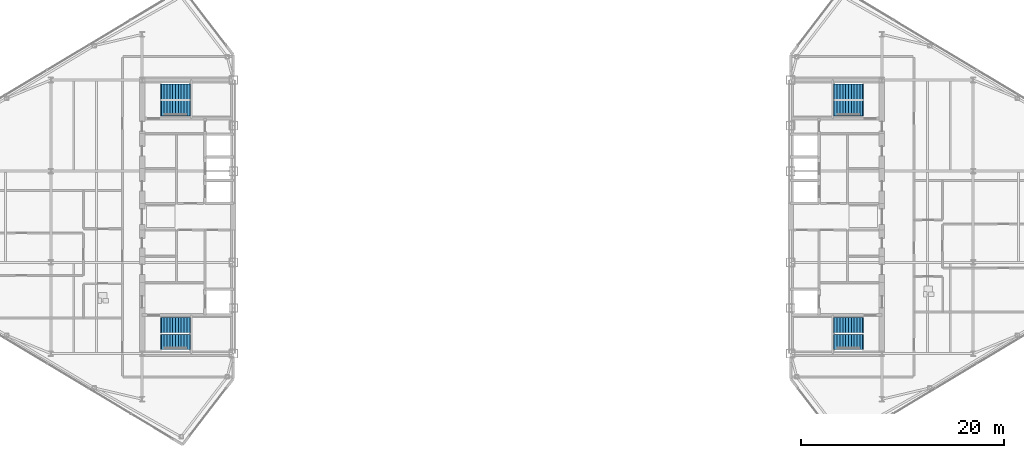
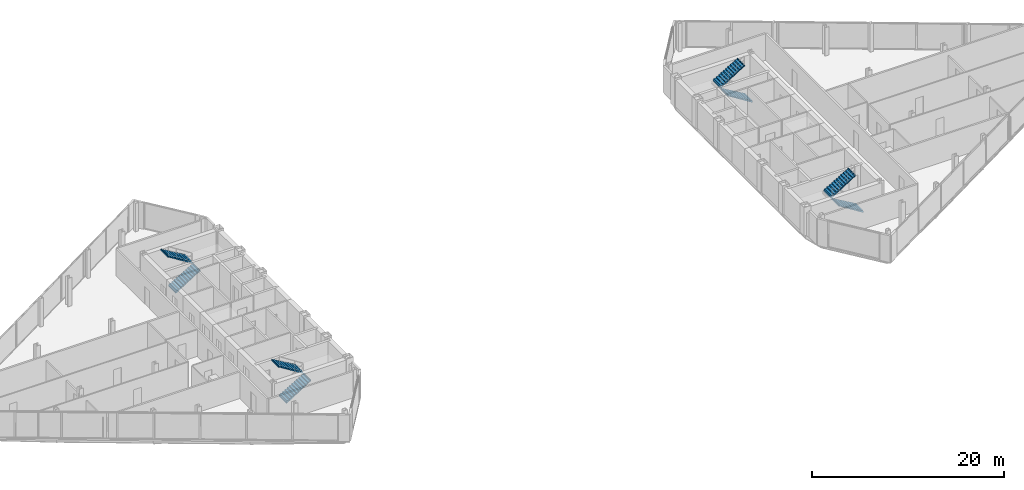
# One storey, part 23 of 25: 8 stair flights, 4 elements without a shape of their own.
"""IFC4 building model written with IfcOpenShell, lengths in metres."""

from ifc_helpers import new_model, si_unit, direction, frame, origin, place, context, subcontext, project, spatial, polyline, outline, extrude, material, type_object, element, aggregate, save


model = new_model("IFC4")

# Units and contexts
model_context = context("Model", 3, precision=1e-05, world=origin(), true_north=direction((0.0, 1.0)))
body_context = subcontext(model_context, "Body", "Model", "MODEL_VIEW")
ifc_project = project(units=[si_unit("LENGTHUNIT", "METRE"), si_unit("AREAUNIT", "SQUARE_METRE"), si_unit("VOLUMEUNIT", "CUBIC_METRE"), si_unit("PLANEANGLEUNIT", "RADIAN"), si_unit("MASSUNIT", "GRAM", prefix="KILO")], contexts=[model_context])

# Site, building, storey
site_placement = place(None, origin())
site = spatial("IfcSite", under=ifc_project, at=site_placement, CompositionType="ELEMENT")
building_placement = place(site_placement, origin())
building = spatial("IfcBuilding", under=site, at=building_placement, Name="Seokmaru Belvedere", CompositionType="ELEMENT")
storey_placement = place(building_placement, frame((0.0, 0.0, 206.699951171875)))
storey = spatial("IfcBuildingStorey", under=building, at=storey_placement, Name="L55", CompositionType="ELEMENT", Elevation=206.699951171875)

# Stair, stair flights
ifc_material = material(Name="Concrete C40 (40 MPa)", Category="concrete")
stair_type = type_object("IfcStairType", Name="Typical Tower Core Dog-Leg Stair 3600", PredefinedType="TWO_STRAIGHT_RUN_STAIR", material=ifc_material)
stair_1_placement = place(storey_placement, origin())
stair_1 = element("IfcStair", 1, at=stair_1_placement, inside=storey, type_object=stair_type, Name="L55 Special Escape Stair ST-W1", PredefinedType="TWO_STRAIGHT_RUN_STAIR")
stair_flight_type = type_object("IfcStairFlightType", Name="Reinforced Concrete Stair Flight 1500", PredefinedType="STRAIGHT", material=ifc_material)
stair_flight_1_placement = place(storey_placement, frame((-34.60009765625, -12.35009765625, 0.0), z_axis=(0.0, 0.0, 1.0), x_axis=(1.0, 0.0, 0.0)))
stair_flight_1 = element("IfcStairFlight", 2, at=stair_flight_1_placement, type_object=stair_flight_type, Name="ST-W1 flight 1", NumberOfRisers=11, NumberOfTreads=10, PredefinedType="STRAIGHT", RiserHeight=0.163636364, TreadLength=0.28, context=body_context, shape_type="SweptSolid", body=[
    extrude(outline(polyline([(-0.080078125, 0.0), (0.0, 0.16357421875), (0.280029296875, 0.16357421875), (0.280029296875, 0.327392578125), (0.56005859375, 0.327392578125), (0.56005859375, 0.490966796875), (0.840087890625, 0.490966796875), (0.840087890625, 0.654541015625), (1.1201171875, 0.654541015625), (1.1201171875, 0.818115234375), (1.39990234375, 0.818115234375), (1.39990234375, 0.98193359375), (1.679931640625, 0.98193359375), (1.679931640625, 1.1455078125), (1.9599609375, 1.1455078125), (1.9599609375, 1.30908203125), (2.239990234375, 1.30908203125), (2.239990234375, 1.47265625), (2.52001953125, 1.47265625), (2.52001953125, 1.636474609375), (2.800048828125, 1.636474609375), (2.800048828125, 1.800048828125), (2.8798828125, 1.800048828125), (2.8798828125, 1.610107421875), (2.800048828125, 1.610107421875), (0.0, -0.159912109375), (-0.080078125, -0.159912109375), (-0.080078125, 0.0)])), frame((0.0, 0.75, 0.0), z_axis=(0.0, -1.0, 0.0), x_axis=(1.0, 0.0, 0.0)), (0.0, 0.0, 1.0), 1.5),
])
stair_flight_2_placement = place(storey_placement, frame((-31.800048828125, -10.7099609375, 1.800048828125), z_axis=(0.0, 0.0, 1.0), x_axis=(-1.0, 0.0, 0.0)))
stair_flight_2 = element("IfcStairFlight", 3, at=stair_flight_2_placement, type_object=stair_flight_type, Name="ST-W1 flight 2", NumberOfRisers=11, NumberOfTreads=10, PredefinedType="STRAIGHT", RiserHeight=0.163636364, TreadLength=0.28, context=body_context, shape_type="SweptSolid", body=[
    extrude(outline(polyline([(-0.080078125, 0.0), (0.0, 0.16357421875), (0.280029296875, 0.16357421875), (0.280029296875, 0.327392578125), (0.56005859375, 0.327392578125), (0.56005859375, 0.490966796875), (0.840087890625, 0.490966796875), (0.840087890625, 0.654541015625), (1.1201171875, 0.654541015625), (1.1201171875, 0.818115234375), (1.39990234375, 0.818115234375), (1.39990234375, 0.98193359375), (1.679931640625, 0.98193359375), (1.679931640625, 1.1455078125), (1.9599609375, 1.1455078125), (1.9599609375, 1.30908203125), (2.239990234375, 1.30908203125), (2.239990234375, 1.47265625), (2.52001953125, 1.47265625), (2.52001953125, 1.636474609375), (2.800048828125, 1.636474609375), (2.800048828125, 1.800048828125), (2.8798828125, 1.800048828125), (2.8798828125, 1.610107421875), (2.800048828125, 1.610107421875), (0.0, -0.159912109375), (-0.080078125, -0.159912109375), (-0.080078125, 0.0)])), frame((0.0, 0.75, 0.0), z_axis=(0.0, -1.0, 0.0), x_axis=(1.0, 0.0, 0.0)), (0.0, 0.0, 1.0), 1.5),
])
aggregate(stair_1, [stair_flight_1, stair_flight_2])

stair_2_placement = place(storey_placement, origin())
stair_2 = element("IfcStair", 4, at=stair_2_placement, inside=storey, type_object=stair_type, Name="L55 Special Escape Stair ST-W2", PredefinedType="TWO_STRAIGHT_RUN_STAIR")
stair_flight_3_placement = place(storey_placement, frame((-34.60009765625, 10.7099609375, 0.0), z_axis=(0.0, 0.0, 1.0), x_axis=(1.0, 0.0, 0.0)))
stair_flight_3 = element("IfcStairFlight", 5, at=stair_flight_3_placement, type_object=stair_flight_type, Name="ST-W2 flight 1", NumberOfRisers=11, NumberOfTreads=10, PredefinedType="STRAIGHT", RiserHeight=0.163636364, TreadLength=0.28, context=body_context, shape_type="SweptSolid", body=[
    extrude(outline(polyline([(-0.080078125, 0.0), (0.0, 0.16357421875), (0.280029296875, 0.16357421875), (0.280029296875, 0.327392578125), (0.56005859375, 0.327392578125), (0.56005859375, 0.490966796875), (0.840087890625, 0.490966796875), (0.840087890625, 0.654541015625), (1.1201171875, 0.654541015625), (1.1201171875, 0.818115234375), (1.39990234375, 0.818115234375), (1.39990234375, 0.98193359375), (1.679931640625, 0.98193359375), (1.679931640625, 1.1455078125), (1.9599609375, 1.1455078125), (1.9599609375, 1.30908203125), (2.239990234375, 1.30908203125), (2.239990234375, 1.47265625), (2.52001953125, 1.47265625), (2.52001953125, 1.636474609375), (2.800048828125, 1.636474609375), (2.800048828125, 1.800048828125), (2.8798828125, 1.800048828125), (2.8798828125, 1.610107421875), (2.800048828125, 1.610107421875), (0.0, -0.159912109375), (-0.080078125, -0.159912109375), (-0.080078125, 0.0)])), frame((0.0, 0.75, 0.0), z_axis=(0.0, -1.0, 0.0), x_axis=(1.0, 0.0, 0.0)), (0.0, 0.0, 1.0), 1.5),
])
stair_flight_4_placement = place(storey_placement, frame((-31.800048828125, 12.35009765625, 1.800048828125), z_axis=(0.0, 0.0, 1.0), x_axis=(-1.0, 0.0, 0.0)))
stair_flight_4 = element("IfcStairFlight", 6, at=stair_flight_4_placement, type_object=stair_flight_type, Name="ST-W2 flight 2", NumberOfRisers=11, NumberOfTreads=10, PredefinedType="STRAIGHT", RiserHeight=0.163636364, TreadLength=0.28, context=body_context, shape_type="SweptSolid", body=[
    extrude(outline(polyline([(-0.080078125, 0.0), (0.0, 0.16357421875), (0.280029296875, 0.16357421875), (0.280029296875, 0.327392578125), (0.56005859375, 0.327392578125), (0.56005859375, 0.490966796875), (0.840087890625, 0.490966796875), (0.840087890625, 0.654541015625), (1.1201171875, 0.654541015625), (1.1201171875, 0.818115234375), (1.39990234375, 0.818115234375), (1.39990234375, 0.98193359375), (1.679931640625, 0.98193359375), (1.679931640625, 1.1455078125), (1.9599609375, 1.1455078125), (1.9599609375, 1.30908203125), (2.239990234375, 1.30908203125), (2.239990234375, 1.47265625), (2.52001953125, 1.47265625), (2.52001953125, 1.636474609375), (2.800048828125, 1.636474609375), (2.800048828125, 1.800048828125), (2.8798828125, 1.800048828125), (2.8798828125, 1.610107421875), (2.800048828125, 1.610107421875), (0.0, -0.159912109375), (-0.080078125, -0.159912109375), (-0.080078125, 0.0)])), frame((0.0, 0.75, 0.0), z_axis=(0.0, -1.0, 0.0), x_axis=(1.0, 0.0, 0.0)), (0.0, 0.0, 1.0), 1.5),
])
aggregate(stair_2, [stair_flight_3, stair_flight_4])

stair_3_placement = place(storey_placement, origin())
stair_3 = element("IfcStair", 7, at=stair_3_placement, inside=storey, type_object=stair_type, Name="L55 Special Escape Stair ST-E1", PredefinedType="TWO_STRAIGHT_RUN_STAIR")
stair_flight_5_placement = place(storey_placement, frame((34.60009765625, -12.35009765625, 0.0), z_axis=(0.0, 0.0, 1.0), x_axis=(-1.0, 0.0, 0.0)))
stair_flight_5 = element("IfcStairFlight", 8, at=stair_flight_5_placement, type_object=stair_flight_type, Name="ST-E1 flight 1", NumberOfRisers=11, NumberOfTreads=10, PredefinedType="STRAIGHT", RiserHeight=0.163636364, TreadLength=0.28, context=body_context, shape_type="SweptSolid", body=[
    extrude(outline(polyline([(-0.080078125, 0.0), (0.0, 0.16357421875), (0.280029296875, 0.16357421875), (0.280029296875, 0.327392578125), (0.56005859375, 0.327392578125), (0.56005859375, 0.490966796875), (0.840087890625, 0.490966796875), (0.840087890625, 0.654541015625), (1.1201171875, 0.654541015625), (1.1201171875, 0.818115234375), (1.39990234375, 0.818115234375), (1.39990234375, 0.98193359375), (1.679931640625, 0.98193359375), (1.679931640625, 1.1455078125), (1.9599609375, 1.1455078125), (1.9599609375, 1.30908203125), (2.239990234375, 1.30908203125), (2.239990234375, 1.47265625), (2.52001953125, 1.47265625), (2.52001953125, 1.636474609375), (2.800048828125, 1.636474609375), (2.800048828125, 1.800048828125), (2.8798828125, 1.800048828125), (2.8798828125, 1.610107421875), (2.800048828125, 1.610107421875), (0.0, -0.159912109375), (-0.080078125, -0.159912109375), (-0.080078125, 0.0)])), frame((0.0, 0.75, 0.0), z_axis=(0.0, -1.0, 0.0), x_axis=(1.0, 0.0, 0.0)), (0.0, 0.0, 1.0), 1.5),
])
stair_flight_6_placement = place(storey_placement, frame((31.800048828125, -10.7099609375, 1.800048828125), z_axis=(0.0, 0.0, 1.0), x_axis=(1.0, 0.0, 0.0)))
stair_flight_6 = element("IfcStairFlight", 9, at=stair_flight_6_placement, type_object=stair_flight_type, Name="ST-E1 flight 2", NumberOfRisers=11, NumberOfTreads=10, PredefinedType="STRAIGHT", RiserHeight=0.163636364, TreadLength=0.28, context=body_context, shape_type="SweptSolid", body=[
    extrude(outline(polyline([(-0.080078125, 0.0), (0.0, 0.16357421875), (0.280029296875, 0.16357421875), (0.280029296875, 0.327392578125), (0.56005859375, 0.327392578125), (0.56005859375, 0.490966796875), (0.840087890625, 0.490966796875), (0.840087890625, 0.654541015625), (1.1201171875, 0.654541015625), (1.1201171875, 0.818115234375), (1.39990234375, 0.818115234375), (1.39990234375, 0.98193359375), (1.679931640625, 0.98193359375), (1.679931640625, 1.1455078125), (1.9599609375, 1.1455078125), (1.9599609375, 1.30908203125), (2.239990234375, 1.30908203125), (2.239990234375, 1.47265625), (2.52001953125, 1.47265625), (2.52001953125, 1.636474609375), (2.800048828125, 1.636474609375), (2.800048828125, 1.800048828125), (2.8798828125, 1.800048828125), (2.8798828125, 1.610107421875), (2.800048828125, 1.610107421875), (0.0, -0.159912109375), (-0.080078125, -0.159912109375), (-0.080078125, 0.0)])), frame((0.0, 0.75, 0.0), z_axis=(0.0, -1.0, 0.0), x_axis=(1.0, 0.0, 0.0)), (0.0, 0.0, 1.0), 1.5),
])
aggregate(stair_3, [stair_flight_5, stair_flight_6])

stair_4_placement = place(storey_placement, origin())
stair_4 = element("IfcStair", 10, at=stair_4_placement, inside=storey, type_object=stair_type, Name="L55 Special Escape Stair ST-E2", PredefinedType="TWO_STRAIGHT_RUN_STAIR")
stair_flight_7_placement = place(storey_placement, frame((34.60009765625, 10.7099609375, 0.0), z_axis=(0.0, 0.0, 1.0), x_axis=(-1.0, 0.0, 0.0)))
stair_flight_7 = element("IfcStairFlight", 11, at=stair_flight_7_placement, type_object=stair_flight_type, Name="ST-E2 flight 1", NumberOfRisers=11, NumberOfTreads=10, PredefinedType="STRAIGHT", RiserHeight=0.163636364, TreadLength=0.28, context=body_context, shape_type="SweptSolid", body=[
    extrude(outline(polyline([(-0.080078125, 0.0), (0.0, 0.16357421875), (0.280029296875, 0.16357421875), (0.280029296875, 0.327392578125), (0.56005859375, 0.327392578125), (0.56005859375, 0.490966796875), (0.840087890625, 0.490966796875), (0.840087890625, 0.654541015625), (1.1201171875, 0.654541015625), (1.1201171875, 0.818115234375), (1.39990234375, 0.818115234375), (1.39990234375, 0.98193359375), (1.679931640625, 0.98193359375), (1.679931640625, 1.1455078125), (1.9599609375, 1.1455078125), (1.9599609375, 1.30908203125), (2.239990234375, 1.30908203125), (2.239990234375, 1.47265625), (2.52001953125, 1.47265625), (2.52001953125, 1.636474609375), (2.800048828125, 1.636474609375), (2.800048828125, 1.800048828125), (2.8798828125, 1.800048828125), (2.8798828125, 1.610107421875), (2.800048828125, 1.610107421875), (0.0, -0.159912109375), (-0.080078125, -0.159912109375), (-0.080078125, 0.0)])), frame((0.0, 0.75, 0.0), z_axis=(0.0, -1.0, 0.0), x_axis=(1.0, 0.0, 0.0)), (0.0, 0.0, 1.0), 1.5),
])
stair_flight_8_placement = place(storey_placement, frame((31.800048828125, 12.35009765625, 1.800048828125), z_axis=(0.0, 0.0, 1.0), x_axis=(1.0, 0.0, 0.0)))
stair_flight_8 = element("IfcStairFlight", 12, at=stair_flight_8_placement, type_object=stair_flight_type, Name="ST-E2 flight 2", NumberOfRisers=11, NumberOfTreads=10, PredefinedType="STRAIGHT", RiserHeight=0.163636364, TreadLength=0.28, context=body_context, shape_type="SweptSolid", body=[
    extrude(outline(polyline([(-0.080078125, 0.0), (0.0, 0.16357421875), (0.280029296875, 0.16357421875), (0.280029296875, 0.327392578125), (0.56005859375, 0.327392578125), (0.56005859375, 0.490966796875), (0.840087890625, 0.490966796875), (0.840087890625, 0.654541015625), (1.1201171875, 0.654541015625), (1.1201171875, 0.818115234375), (1.39990234375, 0.818115234375), (1.39990234375, 0.98193359375), (1.679931640625, 0.98193359375), (1.679931640625, 1.1455078125), (1.9599609375, 1.1455078125), (1.9599609375, 1.30908203125), (2.239990234375, 1.30908203125), (2.239990234375, 1.47265625), (2.52001953125, 1.47265625), (2.52001953125, 1.636474609375), (2.800048828125, 1.636474609375), (2.800048828125, 1.800048828125), (2.8798828125, 1.800048828125), (2.8798828125, 1.610107421875), (2.800048828125, 1.610107421875), (0.0, -0.159912109375), (-0.080078125, -0.159912109375), (-0.080078125, 0.0)])), frame((0.0, 0.75, 0.0), z_axis=(0.0, -1.0, 0.0), x_axis=(1.0, 0.0, 0.0)), (0.0, 0.0, 1.0), 1.5),
])
aggregate(stair_4, [stair_flight_7, stair_flight_8])

save(model, "model.ifc")
